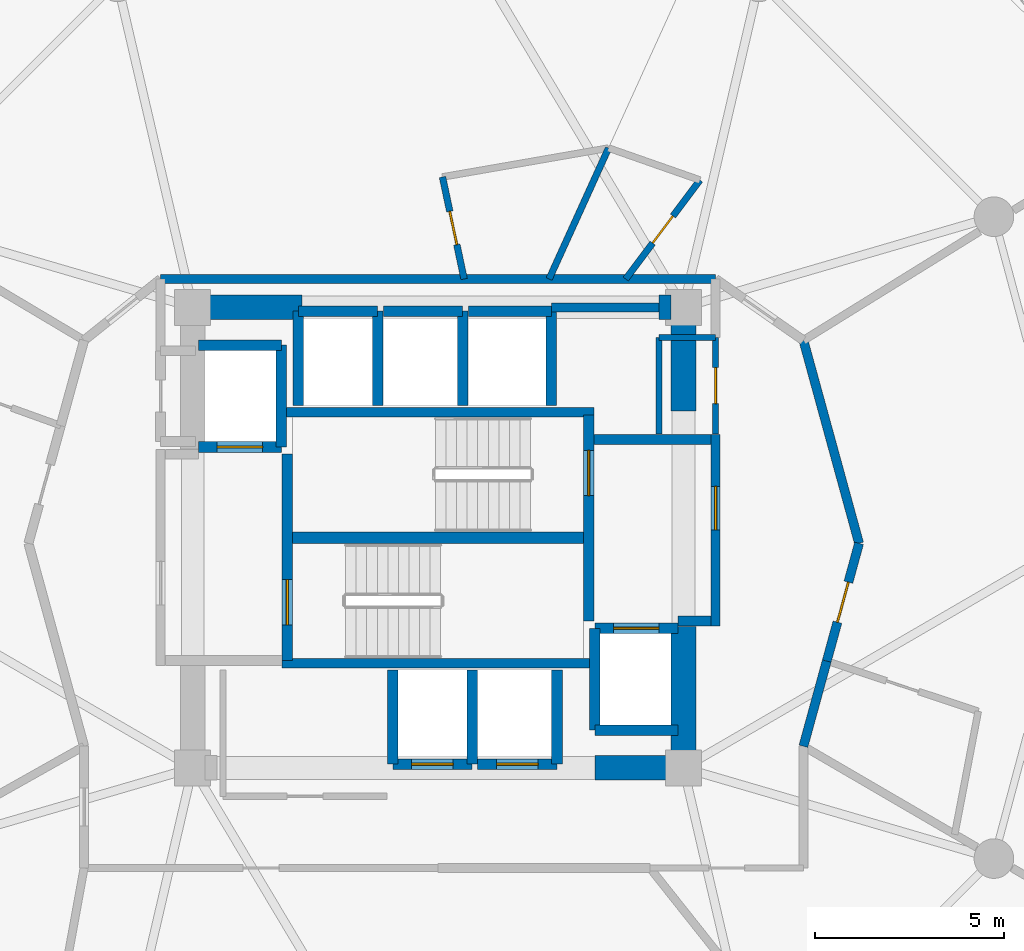
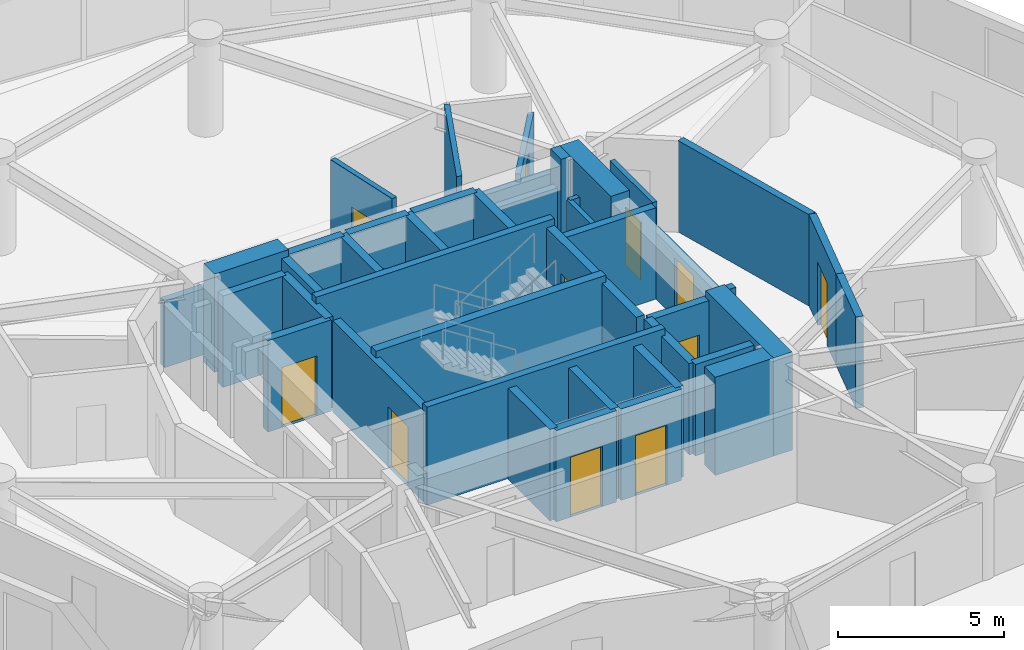
# One storey, part 18 of 21: 42 walls, 11 doors, 11 openings.
"""IFC4 building model written with IfcOpenShell, lengths in metres."""

from ifc_helpers import new_model, si_unit, direction, frame, frame_2d, origin, place, context, subcontext, project, spatial, rectangle, extrude, material, layer, layer_set, type_object, element, fill, save


model = new_model("IFC4")

# Units and contexts
model_context = context("Model", 3, precision=1e-05, world=origin(), true_north=direction((0.0, 1.0)))
body_context = subcontext(model_context, "Body", "Model", "MODEL_VIEW")
ifc_project = project(units=[si_unit("LENGTHUNIT", "METRE"), si_unit("AREAUNIT", "SQUARE_METRE"), si_unit("VOLUMEUNIT", "CUBIC_METRE"), si_unit("PLANEANGLEUNIT", "RADIAN"), si_unit("MASSUNIT", "GRAM", prefix="KILO")], contexts=[model_context])

# Site, building, storey
site_placement = place(None, origin())
site = spatial("IfcSite", under=ifc_project, at=site_placement, CompositionType="ELEMENT")
building_placement = place(site_placement, origin())
building = spatial("IfcBuilding", under=site, at=building_placement, Name="Solvirekh Grand Hotel", CompositionType="ELEMENT")
storey_placement = place(building_placement, frame((0.0, 0.0, 142.199951171875)))
storey = spatial("IfcBuildingStorey", under=building, at=storey_placement, Name="L36", CompositionType="ELEMENT", Elevation=142.199951171875)

# Walls
ifc_material_1 = material(Name="Concrete C50/60", Category="concrete")
ifc_layer_1 = layer(ifc_material_1, 0.35009765625)
ifc_layer_set_1 = layer_set([ifc_layer_1], Name="Concrete C50/60")
wall_type_1 = type_object("IfcWallType", Name="CoreDivWall_RC350", PredefinedType="SOLIDWALL", material=ifc_layer_set_1)
for number, where, z_axis, x_axis, name in (
    (1, (-4.1298828125, -3.324951171875, 0.0), (0.0, 0.0, 1.0), (1.0, 0.0, 0.0), "L36 core stair box wall ST-S"),
    (2, (-4.1298828125, 3.324951171875, 0.0), (0.0, 0.0, 1.0), (1.0, 0.0, 0.0), "L36 core stair box wall ST-N"),
):
    element("IfcWall", number, at=place(storey_placement, frame(where, z_axis=z_axis, x_axis=x_axis)), inside=storey, type_object=wall_type_1, Name=name, PredefinedType="SOLIDWALL", context=body_context, shape_type="SweptSolid", body=[
        extrude(rectangle(XDim=8.259765625, YDim=0.25, at=frame_2d((4.1298828125, 0.0))), origin(), (0.0, 0.0, 1.0), 3.60009765625),
    ])

# Wall, opening, door
ifc_material_2 = material(Name="Concrete C40/50", Category="concrete")
ifc_layer_2 = layer(ifc_material_2, 0.280029296875)
ifc_layer_set_2 = layer_set([ifc_layer_2], Name="Concrete C40/50")
wall_type_2 = type_object("IfcWallType", Name="CoreShaftWall_RC280", PredefinedType="SOLIDWALL", material=ifc_layer_set_2)
wall_1_placement = place(storey_placement, frame((-1.199951171875, -6.0, 0.0), z_axis=(0.0, 0.0, 1.0), x_axis=(1.0, 0.0, 0.0)))
wall_1 = element("IfcWall", 3, at=wall_1_placement, inside=storey, type_object=wall_type_2, Name="L36 MP-1 hoistway S wall", PredefinedType="SOLIDWALL", context=body_context, shape_type="SweptSolid", body=[
    extrude(rectangle(XDim=2.099853515625, YDim=0.280029296875, at=frame_2d((1.0498046875, 0.0))), origin(), (0.0, 0.0, 1.0), 3.35009765625),
])
opening_1_placement = place(wall_1_placement, frame((0.5, 0.0, 0.0)))
opening_1 = element("IfcOpeningElement", 4, at=opening_1_placement, cuts=wall_1, Name="Opening LD01", PredefinedType="OPENING", context=body_context, shape_type="SweptSolid", body=[
    extrude(rectangle(XDim=1.10009765625, YDim=2.199951171875, at=frame_2d((0.550048828125, 1.10009765625))), frame((0.0, 0.14990234375, 0.0), z_axis=(0.0, -1.0, 0.0), x_axis=(1.0, 0.0, 0.0)), (0.0, 0.0, 1.0), 0.300048828125),
])
ifc_material_3 = material(Name="Fire-Rated Steel Door Assembly", Category="steel")
door_type_1 = type_object("IfcDoorType", Name="Door_LiftLanding_1100X2200", OperationType="SLIDING_TO_LEFT", PredefinedType="DOOR", material=ifc_material_3)
door_1_placement = place(opening_1_placement, origin())
door_1 = element("IfcDoor", 5, at=door_1_placement, inside=storey, type_object=door_type_1, Name="L36 MP-1 sliding lift landing door", OperationType="SLIDING_TO_LEFT", OverallHeight=2.199951171875, OverallWidth=1.10009765625, PredefinedType="DOOR", context=body_context, shape_type="SweptSolid", body=[
    extrude(rectangle(XDim=1.10009765625, YDim=2.199951171875, at=frame_2d((0.550048828125, 1.10009765625))), frame((0.0, 0.02490234375, 0.0), z_axis=(0.0, -1.0, 0.0), x_axis=(1.0, 0.0, 0.0)), (0.0, 0.0, 1.0), 0.050048828125),
])
fill(opening_1, door_1)

# Walls
for number, where, z_axis, x_axis, name in (
    (6, (-1.199951171875, -3.5, 0.0), (0.0, 0.0, 1.0), (0.0, -1.0, 0.0), "L36 MP-1 hoistway W wall"),
    (7, (0.89990234375, -6.0, 0.0), (0.0, 0.0, 1.0), (0.0, 1.0, 0.0), "L36 MP-1 hoistway E wall"),
):
    element("IfcWall", number, at=place(storey_placement, frame(where, z_axis=z_axis, x_axis=x_axis)), inside=storey, type_object=wall_type_2, Name=name, PredefinedType="SOLIDWALL", context=body_context, shape_type="SweptSolid", body=[
        extrude(rectangle(XDim=2.5, YDim=0.280029296875, at=frame_2d((1.25, 0.0))), origin(), (0.0, 0.0, 1.0), 3.35009765625),
    ])

# Wall, opening, door
wall_2_placement = place(storey_placement, frame((1.050048828125, -6.0, 0.0), z_axis=(0.0, 0.0, 1.0), x_axis=(1.0, 0.0, 0.0)))
wall_2 = element("IfcWall", 8, at=wall_2_placement, inside=storey, type_object=wall_type_2, Name="L36 MP-2 hoistway S wall", PredefinedType="SOLIDWALL", context=body_context, shape_type="SweptSolid", body=[
    extrude(rectangle(XDim=2.099853515625, YDim=0.280029296875, at=frame_2d((1.0498046875, 0.0))), origin(), (0.0, 0.0, 1.0), 3.35009765625),
])
opening_2_placement = place(wall_2_placement, frame((0.5, 0.0, 0.0)))
opening_2 = element("IfcOpeningElement", 9, at=opening_2_placement, cuts=wall_2, Name="Opening LD01", PredefinedType="OPENING", context=body_context, shape_type="SweptSolid", body=[
    extrude(rectangle(XDim=1.10009765625, YDim=2.199951171875, at=frame_2d((0.550048828125, 1.10009765625))), frame((0.0, 0.14990234375, 0.0), z_axis=(0.0, -1.0, 0.0), x_axis=(1.0, 0.0, 0.0)), (0.0, 0.0, 1.0), 0.300048828125),
])
door_2_placement = place(opening_2_placement, origin())
door_2 = element("IfcDoor", 10, at=door_2_placement, inside=storey, type_object=door_type_1, Name="L36 MP-2 sliding lift landing door", OperationType="SLIDING_TO_LEFT", OverallHeight=2.199951171875, OverallWidth=1.10009765625, PredefinedType="DOOR", context=body_context, shape_type="SweptSolid", body=[
    extrude(rectangle(XDim=1.10009765625, YDim=2.199951171875, at=frame_2d((0.550048828125, 1.10009765625))), frame((0.0, 0.02490234375, 0.0), z_axis=(0.0, -1.0, 0.0), x_axis=(1.0, 0.0, 0.0)), (0.0, 0.0, 1.0), 0.050048828125),
])
fill(opening_2, door_2)

# Walls
wall_3_placement = place(storey_placement, frame((3.14990234375, -6.0, 0.0), z_axis=(0.0, 0.0, 1.0), x_axis=(0.0, 1.0, 0.0)))
element("IfcWall", 11, at=wall_3_placement, inside=storey, type_object=wall_type_2, Name="L36 MP-2 hoistway E wall", PredefinedType="SOLIDWALL", context=body_context, shape_type="SweptSolid", body=[
    extrude(rectangle(XDim=2.5, YDim=0.280029296875, at=frame_2d((1.25, 0.0))), origin(), (0.0, 0.0, 1.0), 3.35009765625),
])
wall_4_placement = place(storey_placement, frame((-1.60009765625, 6.0, 0.0), z_axis=(0.0, 0.0, 1.0), x_axis=(-1.0, 0.0, 0.0)))
element("IfcWall", 12, at=wall_4_placement, inside=storey, type_object=wall_type_2, Name="L36 HP-1 hoistway N wall", PredefinedType="SOLIDWALL", context=body_context, shape_type="SweptSolid", body=[
    extrude(rectangle(XDim=2.099853515625, YDim=0.280029296875, at=frame_2d((1.0498046875, 0.0))), origin(), (0.0, 0.0, 1.0), 3.35009765625),
])
for number, where, z_axis, x_axis, name in (
    (13, (-3.699951171875, 6.0, 0.0), (0.0, 0.0, 1.0), (0.0, -1.0, 0.0), "L36 HP-1 hoistway W wall"),
    (14, (-1.60009765625, 3.5, 0.0), (0.0, 0.0, 1.0), (0.0, 1.0, 0.0), "L36 HP-1 hoistway E wall"),
):
    element("IfcWall", number, at=place(storey_placement, frame(where, z_axis=z_axis, x_axis=x_axis)), inside=storey, type_object=wall_type_2, Name=name, PredefinedType="SOLIDWALL", context=body_context, shape_type="SweptSolid", body=[
        extrude(rectangle(XDim=2.5, YDim=0.280029296875, at=frame_2d((1.25, 0.0))), origin(), (0.0, 0.0, 1.0), 3.35009765625),
    ])
wall_5_placement = place(storey_placement, frame((0.64990234375, 6.0, 0.0), z_axis=(0.0, 0.0, 1.0), x_axis=(-1.0, 0.0, 0.0)))
element("IfcWall", 15, at=wall_5_placement, inside=storey, type_object=wall_type_2, Name="L36 HP-2 hoistway N wall", PredefinedType="SOLIDWALL", context=body_context, shape_type="SweptSolid", body=[
    extrude(rectangle(XDim=2.099853515625, YDim=0.280029296875, at=frame_2d((1.0498046875, 0.0))), origin(), (0.0, 0.0, 1.0), 3.35009765625),
])
wall_6_placement = place(storey_placement, frame((0.64990234375, 3.5, 0.0), z_axis=(0.0, 0.0, 1.0), x_axis=(0.0, 1.0, 0.0)))
element("IfcWall", 16, at=wall_6_placement, inside=storey, type_object=wall_type_2, Name="L36 HP-2 hoistway E wall", PredefinedType="SOLIDWALL", context=body_context, shape_type="SweptSolid", body=[
    extrude(rectangle(XDim=2.5, YDim=0.280029296875, at=frame_2d((1.25, 0.0))), origin(), (0.0, 0.0, 1.0), 3.35009765625),
])
wall_7_placement = place(storey_placement, frame((3.0, 6.0, 0.0), z_axis=(0.0, 0.0, 1.0), x_axis=(-1.0, 0.0, 0.0)))
element("IfcWall", 17, at=wall_7_placement, inside=storey, type_object=wall_type_2, Name="L36 EX-1 hoistway N wall", PredefinedType="SOLIDWALL", context=body_context, shape_type="SweptSolid", body=[
    extrude(rectangle(XDim=2.199951171875, YDim=0.280029296875, at=frame_2d((1.10009765625, 0.0))), origin(), (0.0, 0.0, 1.0), 3.35009765625),
])
wall_8_placement = place(storey_placement, frame((3.0, 3.5, 0.0), z_axis=(0.0, 0.0, 1.0), x_axis=(0.0, 1.0, 0.0)))
element("IfcWall", 18, at=wall_8_placement, inside=storey, type_object=wall_type_2, Name="L36 EX-1 hoistway E wall", PredefinedType="SOLIDWALL", context=body_context, shape_type="SweptSolid", body=[
    extrude(rectangle(XDim=2.5, YDim=0.280029296875, at=frame_2d((1.25, 0.0))), origin(), (0.0, 0.0, 1.0), 3.35009765625),
])

# Wall, opening, door
wall_9_placement = place(storey_placement, frame((-6.35009765625, 2.39990234375, 0.0), z_axis=(0.0, 0.0, 1.0), x_axis=(1.0, 0.0, 0.0)))
wall_9 = element("IfcWall", 19, at=wall_9_placement, inside=storey, type_object=wall_type_2, Name="L36 FL-1 hoistway S wall", PredefinedType="SOLIDWALL", context=body_context, shape_type="SweptSolid", body=[
    extrude(rectangle(XDim=2.2001953125, YDim=0.280029296875, at=frame_2d((1.10009765625, 0.0))), origin(), (0.0, 0.0, 1.0), 3.35009765625),
])
opening_3_placement = place(wall_9_placement, frame((0.5, 0.0, 0.0)))
opening_3 = element("IfcOpeningElement", 20, at=opening_3_placement, cuts=wall_9, Name="Opening LD02", PredefinedType="OPENING", context=body_context, shape_type="SweptSolid", body=[
    extrude(rectangle(XDim=1.199951171875, YDim=2.199951171875, at=frame_2d((0.60009765625, 1.10009765625))), frame((0.0, 0.14990234375, 0.0), z_axis=(0.0, -1.0, 0.0), x_axis=(1.0, 0.0, 0.0)), (0.0, 0.0, 1.0), 0.300048828125),
])
door_type_2 = type_object("IfcDoorType", Name="Door_LiftFF_1200X2200", OperationType="SLIDING_TO_LEFT", PredefinedType="DOOR", material=ifc_material_3)
door_3_placement = place(opening_3_placement, origin())
door_3 = element("IfcDoor", 21, at=door_3_placement, inside=storey, type_object=door_type_2, Name="L36 FL-1 sliding lift landing door", OperationType="SLIDING_TO_LEFT", OverallHeight=2.199951171875, OverallWidth=1.199951171875, PredefinedType="DOOR", context=body_context, shape_type="SweptSolid", body=[
    extrude(rectangle(XDim=1.199951171875, YDim=2.199951171875, at=frame_2d((0.60009765625, 1.10009765625))), frame((0.0, 0.02490234375, 0.0), z_axis=(0.0, -1.0, 0.0), x_axis=(1.0, 0.0, 0.0)), (0.0, 0.0, 1.0), 0.050048828125),
])
fill(opening_3, door_3)

# Walls
wall_10_placement = place(storey_placement, frame((-4.14990234375, 5.10009765625, 0.0), z_axis=(0.0, 0.0, 1.0), x_axis=(-1.0, 0.0, 0.0)))
element("IfcWall", 22, at=wall_10_placement, inside=storey, type_object=wall_type_2, Name="L36 FL-1 hoistway N wall", PredefinedType="SOLIDWALL", context=body_context, shape_type="SweptSolid", body=[
    extrude(rectangle(XDim=2.2001953125, YDim=0.280029296875, at=frame_2d((1.10009765625, 0.0))), origin(), (0.0, 0.0, 1.0), 3.35009765625),
])
wall_11_placement = place(storey_placement, frame((-4.14990234375, 2.39990234375, 0.0), z_axis=(0.0, 0.0, 1.0), x_axis=(0.0, 1.0, 0.0)))
element("IfcWall", 23, at=wall_11_placement, inside=storey, type_object=wall_type_2, Name="L36 FL-1 hoistway E wall", PredefinedType="SOLIDWALL", context=body_context, shape_type="SweptSolid", body=[
    extrude(rectangle(XDim=2.7001953125, YDim=0.280029296875, at=frame_2d((1.35009765625, 0.0))), origin(), (0.0, 0.0, 1.0), 3.35009765625),
])
wall_12_placement = place(storey_placement, frame((4.14990234375, -5.10009765625, 0.0), z_axis=(0.0, 0.0, 1.0), x_axis=(1.0, 0.0, 0.0)))
element("IfcWall", 24, at=wall_12_placement, inside=storey, type_object=wall_type_2, Name="L36 FL-2 hoistway S wall", PredefinedType="SOLIDWALL", context=body_context, shape_type="SweptSolid", body=[
    extrude(rectangle(XDim=2.2001953125, YDim=0.280029296875, at=frame_2d((1.10009765625, 0.0))), origin(), (0.0, 0.0, 1.0), 3.35009765625),
])

# Wall, opening, door
wall_13_placement = place(storey_placement, frame((6.35009765625, -2.39990234375, 0.0), z_axis=(0.0, 0.0, 1.0), x_axis=(-1.0, 0.0, 0.0)))
wall_13 = element("IfcWall", 25, at=wall_13_placement, inside=storey, type_object=wall_type_2, Name="L36 FL-2 hoistway N wall", PredefinedType="SOLIDWALL", context=body_context, shape_type="SweptSolid", body=[
    extrude(rectangle(XDim=2.2001953125, YDim=0.280029296875, at=frame_2d((1.10009765625, 0.0))), origin(), (0.0, 0.0, 1.0), 3.35009765625),
])
opening_4_placement = place(wall_13_placement, frame((0.5, 0.0, 0.0)))
opening_4 = element("IfcOpeningElement", 26, at=opening_4_placement, cuts=wall_13, Name="Opening LD02", PredefinedType="OPENING", context=body_context, shape_type="SweptSolid", body=[
    extrude(rectangle(XDim=1.199951171875, YDim=2.199951171875, at=frame_2d((0.60009765625, 1.10009765625))), frame((0.0, 0.14990234375, 0.0), z_axis=(0.0, -1.0, 0.0), x_axis=(1.0, 0.0, 0.0)), (0.0, 0.0, 1.0), 0.300048828125),
])
door_4_placement = place(opening_4_placement, origin())
door_4 = element("IfcDoor", 27, at=door_4_placement, inside=storey, type_object=door_type_2, Name="L36 FL-2 sliding lift landing door", OperationType="SLIDING_TO_LEFT", OverallHeight=2.199951171875, OverallWidth=1.199951171875, PredefinedType="DOOR", context=body_context, shape_type="SweptSolid", body=[
    extrude(rectangle(XDim=1.199951171875, YDim=2.199951171875, at=frame_2d((0.60009765625, 1.10009765625))), frame((0.0, 0.02490234375, 0.0), z_axis=(0.0, -1.0, 0.0), x_axis=(1.0, 0.0, 0.0)), (0.0, 0.0, 1.0), 0.050048828125),
])
fill(opening_4, door_4)

# Wall
wall_14_placement = place(storey_placement, frame((4.14990234375, -2.39990234375, 0.0), z_axis=(0.0, 0.0, 1.0), x_axis=(0.0, -1.0, 0.0)))
element("IfcWall", 28, at=wall_14_placement, inside=storey, type_object=wall_type_2, Name="L36 FL-2 hoistway W wall", PredefinedType="SOLIDWALL", context=body_context, shape_type="SweptSolid", body=[
    extrude(rectangle(XDim=2.7001953125, YDim=0.280029296875, at=frame_2d((1.35009765625, 0.0))), origin(), (0.0, 0.0, 1.0), 3.35009765625),
])

# Wall, opening, door
wall_15_placement = place(storey_placement, frame((-3.989990234375, -3.25, 0.0), z_axis=(0.0, 0.0, 1.0), x_axis=(0.0, 1.0, 0.0)))
wall_15 = element("IfcWall", 29, at=wall_15_placement, inside=storey, type_object=wall_type_2, Name="L36 west stair landing enclosure wall", PredefinedType="SOLIDWALL", context=body_context, shape_type="SweptSolid", body=[
    extrude(rectangle(XDim=5.4599609375, YDim=0.280029296875, at=frame_2d((2.72998046875, 0.0))), origin(), (0.0, 0.0, 1.0), 3.35009765625),
])
opening_5_placement = place(wall_15_placement, frame((0.93701171875, 0.0, 0.0)))
opening_5 = element("IfcOpeningElement", 30, at=opening_5_placement, cuts=wall_15, Name="Opening D05", PredefinedType="OPENING", context=body_context, shape_type="SweptSolid", body=[
    extrude(rectangle(XDim=1.199951171875, YDim=2.199951171875, at=frame_2d((0.60009765625, 1.10009765625))), frame((0.0, 0.14990234375, 0.0), z_axis=(0.0, -1.0, 0.0), x_axis=(1.0, 0.0, 0.0)), (0.0, 0.0, 1.0), 0.300048828125),
])
door_type_3 = type_object("IfcDoorType", Name="Door_StairCore_1200X2200", OperationType="NOTDEFINED", PredefinedType="DOOR", material=ifc_material_3)
door_5_placement = place(opening_5_placement, origin())
door_5 = element("IfcDoor", 31, at=door_5_placement, inside=storey, type_object=door_type_3, Name="L36 exit stair ST-1 fire door", OperationType="SINGLE_SWING_RIGHT", OverallHeight=2.199951171875, OverallWidth=1.199951171875, PredefinedType="DOOR", context=body_context, shape_type="SweptSolid", body=[
    extrude(rectangle(XDim=1.199951171875, YDim=2.199951171875, at=frame_2d((0.60009765625, 1.10009765625))), frame((0.0, 0.02490234375, 0.0), z_axis=(0.0, -1.0, 0.0), x_axis=(1.0, 0.0, 0.0)), (0.0, 0.0, 1.0), 0.050048828125),
])
fill(opening_5, door_5)

wall_16_placement = place(storey_placement, frame((3.989990234375, -2.2099609375, 0.0), z_axis=(0.0, 0.0, 1.0), x_axis=(0.0, 1.0, 0.0)))
wall_16 = element("IfcWall", 32, at=wall_16_placement, inside=storey, type_object=wall_type_2, Name="L36 east stair landing enclosure wall", PredefinedType="SOLIDWALL", context=body_context, shape_type="SweptSolid", body=[
    extrude(rectangle(XDim=5.4599609375, YDim=0.280029296875, at=frame_2d((2.72998046875, 0.0))), origin(), (0.0, 0.0, 1.0), 3.35009765625),
])
opening_6_placement = place(wall_16_placement, frame((3.322998046875, 0.0, 0.0)))
opening_6 = element("IfcOpeningElement", 33, at=opening_6_placement, cuts=wall_16, Name="Opening D05", PredefinedType="OPENING", context=body_context, shape_type="SweptSolid", body=[
    extrude(rectangle(XDim=1.199951171875, YDim=2.199951171875, at=frame_2d((0.60009765625, 1.10009765625))), frame((0.0, 0.14990234375, 0.0), z_axis=(0.0, -1.0, 0.0), x_axis=(1.0, 0.0, 0.0)), (0.0, 0.0, 1.0), 0.300048828125),
])
door_6_placement = place(opening_6_placement, origin())
door_6 = element("IfcDoor", 34, at=door_6_placement, inside=storey, type_object=door_type_3, Name="L36 exit stair ST-2 fire door", OperationType="SINGLE_SWING_LEFT", OverallHeight=2.199951171875, OverallWidth=1.199951171875, PredefinedType="DOOR", context=body_context, shape_type="SweptSolid", body=[
    extrude(rectangle(XDim=1.199951171875, YDim=2.199951171875, at=frame_2d((0.60009765625, 1.10009765625))), frame((0.0, 0.02490234375, 0.0), z_axis=(0.0, -1.0, 0.0), x_axis=(1.0, 0.0, 0.0)), (0.0, 0.0, 1.0), 0.050048828125),
])
fill(opening_6, door_6)

# Walls
ifc_layer_3 = layer(ifc_material_1, 0.64990234375)
ifc_layer_set_3 = layer_set([ifc_layer_3], Name="Concrete C50/60")
wall_type_3 = type_object("IfcWallType", Name="CoreWall_RC650", PredefinedType="SHEAR", material=ifc_layer_set_3)
wall_17_placement = place(storey_placement, frame((-3.989990234375, 0.0, 0.0), z_axis=(0.0, 0.0, 1.0), x_axis=(1.0, 0.0, 0.0)))
element("IfcWall", 35, at=wall_17_placement, inside=storey, type_object=wall_type_3, Name="L36 central stair-spine shear wall", PredefinedType="SHEAR", context=body_context, shape_type="SweptSolid", body=[
    extrude(rectangle(XDim=7.97998046875, YDim=0.300048828125, at=frame_2d((3.989990234375, 0.0))), origin(), (0.0, 0.0, 1.0), 3.60009765625),
])
wall_18_placement = place(storey_placement, frame((4.14990234375, -6.10009765625, 0.0), z_axis=(0.0, 0.0, 1.0), x_axis=(1.0, 0.0, 0.0)))
element("IfcWall", 36, at=wall_18_placement, inside=storey, type_object=wall_type_3, Name="L36 core corner shear wall SE-S", PredefinedType="SHEAR", context=body_context, shape_type="SweptSolid", body=[
    extrude(rectangle(XDim=2.025146484375, YDim=0.64990234375, at=frame_2d((1.0126953125, 0.0))), origin(), (0.0, 0.0, 1.0), 3.60009765625),
])
wall_19_placement = place(storey_placement, frame((-6.175048828125, 6.10009765625, 0.0), z_axis=(0.0, 0.0, 1.0), x_axis=(1.0, 0.0, 0.0)))
element("IfcWall", 37, at=wall_19_placement, inside=storey, type_object=wall_type_3, Name="L36 core corner shear wall NW-N", PredefinedType="SHEAR", context=body_context, shape_type="SweptSolid", body=[
    extrude(rectangle(XDim=2.574951171875, YDim=0.64990234375, at=frame_2d((1.28759765625, 0.0))), origin(), (0.0, 0.0, 1.0), 3.60009765625),
])
wall_20_placement = place(storey_placement, frame((5.85009765625, 6.10009765625, 0.0), z_axis=(0.0, 0.0, 1.0), x_axis=(1.0, 0.0, 0.0)))
element("IfcWall", 38, at=wall_20_placement, inside=storey, type_object=wall_type_3, Name="L36 core corner shear wall NE-N", PredefinedType="SHEAR", context=body_context, shape_type="SweptSolid", body=[
    extrude(rectangle(XDim=0.324951171875, YDim=0.64990234375, at=frame_2d((0.16259765625, 0.0))), origin(), (0.0, 0.0, 1.0), 3.60009765625),
])
wall_21_placement = place(storey_placement, frame((6.5, -6.425048828125, 0.0), z_axis=(0.0, 0.0, 1.0), x_axis=(0.0, 1.0, 0.0)))
element("IfcWall", 39, at=wall_21_placement, inside=storey, type_object=wall_type_3, Name="L36 core corner shear wall ES-E", PredefinedType="SHEAR", context=body_context, shape_type="SweptSolid", body=[
    extrude(rectangle(XDim=4.074951171875, YDim=0.64990234375, at=frame_2d((2.03759765625, 0.0))), origin(), (0.0, 0.0, 1.0), 3.60009765625),
])
wall_22_placement = place(storey_placement, frame((6.5, 3.35009765625, 0.0), z_axis=(0.0, 0.0, 1.0), x_axis=(0.0, 1.0, 0.0)))
element("IfcWall", 40, at=wall_22_placement, inside=storey, type_object=wall_type_3, Name="L36 core corner shear wall EN-E", PredefinedType="SHEAR", context=body_context, shape_type="SweptSolid", body=[
    extrude(rectangle(XDim=3.074951171875, YDim=0.64990234375, at=frame_2d((1.53759765625, 0.0))), origin(), (0.0, 0.0, 1.0), 3.60009765625),
])

# Wall, opening, door
ifc_material_4 = material(Name="Acoustic Gypsum Partition Assembly")
ifc_layer_4 = layer(ifc_material_4, 0.1650390625)
ifc_layer_set_4 = layer_set([ifc_layer_4], Name="Acoustic Gypsum Partition Assembly")
wall_type_4 = type_object("IfcWallType", Name="Part_BOH_165", PredefinedType="PARTITIONING", material=ifc_layer_set_4)
wall_23_placement = place(storey_placement, frame((7.35009765625, 2.75, 0.0), z_axis=(0.0, 0.0, 1.0), x_axis=(0.0, 1.0, 0.0)))
wall_23 = element("IfcWall", 41, at=wall_23_placement, inside=storey, type_object=wall_type_4, Name="L36 L36 Core Housekeeping & Linen Room wall 2", PredefinedType="PARTITIONING", context=body_context, shape_type="SweptSolid", body=[
    extrude(rectangle(XDim=2.550048828125, YDim=0.1650390625, at=frame_2d((1.27490234375, 0.0))), origin(), (0.0, 0.0, 1.0), 3.35009765625),
])
opening_7_placement = place(wall_23_placement, frame((0.800048828125, 0.0, 0.0)))
opening_7 = element("IfcOpeningElement", 42, at=opening_7_placement, cuts=wall_23, Name="Opening D10", PredefinedType="OPENING", context=body_context, shape_type="SweptSolid", body=[
    extrude(rectangle(XDim=0.949951171875, YDim=2.10009765625, at=frame_2d((0.47509765625, 1.050048828125))), frame((0.0, 0.092529296875, 0.0), z_axis=(0.0, -1.0, 0.0), x_axis=(1.0, 0.0, 0.0)), (0.0, 0.0, 1.0), 0.18505859375),
])
ifc_material_5 = material(Name="Anodized Bronze Aluminium 6063-T6", Category="aluminium")
door_type_4 = type_object("IfcDoorType", Name="Door_RoomInt_950X2100", OperationType="NOTDEFINED", PredefinedType="DOOR", material=ifc_material_5)
door_7_placement = place(opening_7_placement, origin())
door_7 = element("IfcDoor", 43, at=door_7_placement, inside=storey, type_object=door_type_4, Name="L36 L36 Core Housekeeping & Linen Room door", OperationType="SINGLE_SWING_LEFT", OverallHeight=2.10009765625, OverallWidth=0.949951171875, PredefinedType="DOOR", context=body_context, shape_type="SweptSolid", body=[
    extrude(rectangle(XDim=0.949951171875, YDim=2.10009765625, at=frame_2d((0.47509765625, 1.050048828125))), frame((0.0, 0.02490234375, 0.0), z_axis=(0.0, -1.0, 0.0), x_axis=(1.0, 0.0, 0.0)), (0.0, 0.0, 1.0), 0.050048828125),
])
fill(opening_7, door_7)

# Walls
wall_24_placement = place(storey_placement, frame((7.35009765625, 5.300048828125, 0.0), z_axis=(0.0, 0.0, 1.0), x_axis=(-1.0, 0.0, 0.0)))
element("IfcWall", 44, at=wall_24_placement, inside=storey, type_object=wall_type_4, Name="L36 L36 Core Housekeeping & Linen Room wall 3", PredefinedType="PARTITIONING", context=body_context, shape_type="SweptSolid", body=[
    extrude(rectangle(XDim=1.5, YDim=0.1650390625, at=frame_2d((0.75, 0.0))), origin(), (0.0, 0.0, 1.0), 2.43505859375),
])
wall_25_placement = place(storey_placement, frame((5.85009765625, 5.300048828125, 0.0), z_axis=(0.0, 0.0, 1.0), x_axis=(0.0, -1.0, 0.0)))
element("IfcWall", 45, at=wall_25_placement, inside=storey, type_object=wall_type_4, Name="L36 L36 Core Housekeeping & Linen Room wall 4", PredefinedType="PARTITIONING", context=body_context, shape_type="SweptSolid", body=[
    extrude(rectangle(XDim=2.550048828125, YDim=0.1650390625, at=frame_2d((1.27490234375, 0.0))), origin(), (0.0, 0.0, 1.0), 2.43505859375),
])

# Wall, opening, door
ifc_layer_5 = layer(ifc_material_4, 0.239990234375)
ifc_layer_set_5 = layer_set([ifc_layer_5], Name="Acoustic Gypsum Partition Assembly")
wall_type_5 = type_object("IfcWallType", Name="Part_Corridor_240", PredefinedType="PARTITIONING", material=ifc_layer_set_5)
wall_26_placement = place(storey_placement, frame((7.35009765625, -2.340087890625, 0.0), z_axis=(0.0, 0.0, 1.0), x_axis=(0.0, 1.0, 0.0)))
wall_26 = element("IfcWall", 46, at=wall_26_placement, inside=storey, type_object=wall_type_5, Name="L36 east firefighting lobby smoke screen wall", PredefinedType="PARTITIONING", context=body_context, shape_type="SweptSolid", body=[
    extrude(rectangle(XDim=5.070068359375, YDim=0.239990234375, at=frame_2d((2.53515625, 0.0))), origin(), (0.0, 0.0, 1.0), 2.43505859375),
])
opening_8_placement = place(wall_26_placement, frame((2.548095703125, 0.0, 0.0)))
opening_8 = element("IfcOpeningElement", 47, at=opening_8_placement, cuts=wall_26, Name="Opening D06", PredefinedType="OPENING", context=body_context, shape_type="SweptSolid", body=[
    extrude(rectangle(XDim=1.14990234375, YDim=2.199951171875, at=frame_2d((0.574951171875, 1.10009765625))), frame((0.0, 0.1298828125, 0.0), z_axis=(0.0, -1.0, 0.0), x_axis=(1.0, 0.0, 0.0)), (0.0, 0.0, 1.0), 0.260009765625),
])
door_type_5 = type_object("IfcDoorType", Name="Door_FFLobby_1150X2200", OperationType="NOTDEFINED", PredefinedType="DOOR", material=ifc_material_3)
door_8_placement = place(opening_8_placement, origin())
door_8 = element("IfcDoor", 48, at=door_8_placement, inside=storey, type_object=door_type_5, Name="L36 east firefighting lobby smoke door", OperationType="SINGLE_SWING_LEFT", OverallHeight=2.199951171875, OverallWidth=1.14990234375, PredefinedType="DOOR", context=body_context, shape_type="SweptSolid", body=[
    extrude(rectangle(XDim=1.14990234375, YDim=2.199951171875, at=frame_2d((0.574951171875, 1.10009765625))), frame((0.0, 0.02490234375, 0.0), z_axis=(0.0, -1.0, 0.0), x_axis=(1.0, 0.0, 0.0)), (0.0, 0.0, 1.0), 0.050048828125),
])
fill(opening_8, door_8)

# Walls
wall_27_placement = place(storey_placement, frame((-7.35009765625, 6.85009765625, 0.0), z_axis=(0.0, 0.0, 1.0), x_axis=(1.0, 0.0, 0.0)))
element("IfcWall", 49, at=wall_27_placement, inside=storey, type_object=wall_type_5, Name="L36 north core backing partition", PredefinedType="PARTITIONING", context=body_context, shape_type="SweptSolid", body=[
    extrude(rectangle(XDim=14.7001953125, YDim=0.239990234375, at=frame_2d((7.35009765625, 0.0))), origin(), (0.0, 0.0, 1.0), 2.43505859375),
])
wall_28_placement = place(storey_placement, frame((3.0, 6.10009765625, 0.0), z_axis=(0.0, 0.0, 1.0), x_axis=(1.0, 0.0, 0.0)))
element("IfcWall", 50, at=wall_28_placement, inside=storey, type_object=wall_type_5, Name="L36 north core shaft infill wall", PredefinedType="PARTITIONING", context=body_context, shape_type="SweptSolid", body=[
    extrude(rectangle(XDim=2.85009765625, YDim=0.239990234375, at=frame_2d((1.425048828125, 0.0))), origin(), (0.0, 0.0, 1.0), 2.43505859375),
])
wall_29_placement = place(storey_placement, frame((9.676025390625, -5.52490234375, 0.0), z_axis=(0.0, 0.0, 1.0), x_axis=(0.264467775372, 0.964394522895, 0.0)))
element("IfcWall", 51, at=wall_29_placement, inside=storey, type_object=wall_type_5, Name="L36 En-suite Bathroom 3804 corridor backing wall", PredefinedType="PARTITIONING", context=body_context, shape_type="SweptSolid", body=[
    extrude(rectangle(XDim=2.340087890625, YDim=0.239990234375, at=frame_2d((1.169921875, 0.0))), origin(), (0.0, 0.0, 1.0), 3.35009765625),
])
wall_30_placement = place(storey_placement, frame((11.14990234375, -0.14990234375, 0.0), z_axis=(0.0, 0.0, 1.0), x_axis=(-0.264447801629, 0.964400000111, 0.0)))
element("IfcWall", 52, at=wall_30_placement, inside=storey, type_object=wall_type_5, Name="L36 Executive Suite 3804 Living Room corridor wall 1", PredefinedType="PARTITIONING", context=body_context, shape_type="SweptSolid", body=[
    extrude(rectangle(XDim=5.573486328125, YDim=0.239990234375, at=frame_2d((2.78662109375, 0.0))), origin(), (0.0, 0.0, 1.0), 3.35009765625),
])

# Wall, opening, door
wall_31_placement = place(storey_placement, frame((10.294921875, -3.26806640625, 0.0), z_axis=(0.0, 0.0, 1.0), x_axis=(0.264433345006, 0.96440396414, 0.0)))
wall_31 = element("IfcWall", 53, at=wall_31_placement, inside=storey, type_object=wall_type_5, Name="L36 Executive Suite 3804 Living Room entrance wall", PredefinedType="PARTITIONING", context=body_context, shape_type="SweptSolid", body=[
    extrude(rectangle(XDim=3.233154296875, YDim=0.239990234375, at=frame_2d((1.61669921875, 0.0))), origin(), (0.0, 0.0, 1.0), 3.35009765625),
])
opening_9_placement = place(wall_31_placement, frame((1.06689453125, 0.0, 0.0)))
opening_9 = element("IfcOpeningElement", 54, at=opening_9_placement, cuts=wall_31, Name="Opening D08", PredefinedType="OPENING", context=body_context, shape_type="SweptSolid", body=[
    extrude(rectangle(XDim=1.10009765625, YDim=2.300048828125, at=frame_2d((0.550048828125, 1.14990234375))), frame((0.0, 0.1298828125, 0.0), z_axis=(0.0, -1.0, 0.0), x_axis=(1.0, 0.0, 0.0)), (0.0, 0.0, 1.0), 0.260009765625),
])
door_type_6 = type_object("IfcDoorType", Name="Door_SuiteEntry_1100X2300", OperationType="NOTDEFINED", PredefinedType="DOOR", material=ifc_material_3)
door_9_placement = place(opening_9_placement, origin())
door_9 = element("IfcDoor", 55, at=door_9_placement, inside=storey, type_object=door_type_6, Name="L36 Executive Suite 3804 Living Room entrance door", OperationType="SINGLE_SWING_RIGHT", OverallHeight=2.300048828125, OverallWidth=1.10009765625, PredefinedType="DOOR", context=body_context, shape_type="SweptSolid", body=[
    extrude(rectangle(XDim=1.10009765625, YDim=2.300048828125, at=frame_2d((0.550048828125, 1.14990234375))), frame((0.0, 0.02490234375, 0.0), z_axis=(0.0, -1.0, 0.0), x_axis=(1.0, 0.0, 0.0)), (0.0, 0.0, 1.0), 0.050048828125),
])
fill(opening_9, door_9)

# Walls
ifc_layer_6 = layer(ifc_material_4, 0.260009765625)
ifc_layer_set_6 = layer_set([ifc_layer_6], Name="Acoustic Gypsum Partition Assembly")
wall_type_6 = type_object("IfcWallType", Name="Part_LobbyFF_260", PredefinedType="PARTITIONING", material=ifc_layer_set_6)
wall_32_placement = place(storey_placement, frame((6.35009765625, -2.2099609375, 0.0), z_axis=(0.0, 0.0, 1.0), x_axis=(1.0, 0.0, 0.0)))
element("IfcWall", 56, at=wall_32_placement, inside=storey, type_object=wall_type_6, Name="L36 east firefighting lobby SE cheek", PredefinedType="PARTITIONING", context=body_context, shape_type="SweptSolid", body=[
    extrude(rectangle(XDim=0.875, YDim=0.260009765625, at=frame_2d((0.4375, 0.0))), origin(), (0.0, 0.0, 1.0), 3.35009765625),
])
wall_33_placement = place(storey_placement, frame((4.1298828125, 2.60009765625, 0.0), z_axis=(0.0, 0.0, 1.0), x_axis=(1.0, 0.0, 0.0)))
element("IfcWall", 57, at=wall_33_placement, inside=storey, type_object=wall_type_6, Name="L36 east firefighting lobby north partition", PredefinedType="PARTITIONING", context=body_context, shape_type="SweptSolid", body=[
    extrude(rectangle(XDim=3.09521484375, YDim=0.260009765625, at=frame_2d((1.547607421875, 0.0))), origin(), (0.0, 0.0, 1.0), 3.35009765625),
])
ifc_layer_7 = layer(ifc_material_4, 0.175048828125)
ifc_layer_set_7 = layer_set([ifc_layer_7], Name="Acoustic Gypsum Partition Assembly")
wall_type_7 = type_object("IfcWallType", Name="Plumb_Ensuite_175", PredefinedType="PLUMBINGWALL", material=ifc_layer_set_7)
wall_34_placement = place(storey_placement, frame((4.514892578125, 10.318115234375, 0.0), z_axis=(0.0, 0.0, 1.0), x_axis=(-0.413493846923, -0.910506912965, 0.0)))
element("IfcWall", 58, at=wall_34_placement, inside=storey, type_object=wall_type_7, Name="L36 En-suite Bathroom 3801 side plumbing wall", PredefinedType="PLUMBINGWALL", context=body_context, shape_type="SweptSolid", body=[
    extrude(rectangle(XDim=3.808837890625, YDim=0.175048828125, at=frame_2d((1.904296875, 0.0))), origin(), (0.0, 0.0, 1.0), 3.35009765625),
])

# Wall, opening, door
wall_35_placement = place(storey_placement, frame((4.968994140625, 6.85009765625, 0.0), z_axis=(0.0, 0.0, 1.0), x_axis=(0.600083455504, 0.79993740157, 0.0)))
wall_35 = element("IfcWall", 59, at=wall_35_placement, inside=storey, type_object=wall_type_7, Name="L36 En-suite Bathroom 3801 entry plumbing wall", PredefinedType="PLUMBINGWALL", context=body_context, shape_type="SweptSolid", body=[
    extrude(rectangle(XDim=3.2763671875, YDim=0.175048828125, at=frame_2d((1.63818359375, 0.0))), origin(), (0.0, 0.0, 1.0), 2.718017578125),
])
opening_10_placement = place(wall_35_placement, frame((1.18798828125, 0.0, 0.0)))
opening_10 = element("IfcOpeningElement", 60, at=opening_10_placement, cuts=wall_35, Name="Opening D09", PredefinedType="OPENING", context=body_context, shape_type="SweptSolid", body=[
    extrude(rectangle(XDim=0.89990234375, YDim=2.10009765625, at=frame_2d((0.449951171875, 1.050048828125))), frame((0.0, 0.09765625, 0.0), z_axis=(0.0, -1.0, 0.0), x_axis=(1.0, 0.0, 0.0)), (0.0, 0.0, 1.0), 0.195068359375),
])
door_type_7 = type_object("IfcDoorType", Name="Door_Ensuite_900X2100", OperationType="NOTDEFINED", PredefinedType="DOOR", material=ifc_material_5)
door_10_placement = place(opening_10_placement, origin())
door_10 = element("IfcDoor", 61, at=door_10_placement, inside=storey, type_object=door_type_7, Name="L36 En-suite Bathroom 3801 door", OperationType="SINGLE_SWING_LEFT", OverallHeight=2.10009765625, OverallWidth=0.89990234375, PredefinedType="DOOR", context=body_context, shape_type="SweptSolid", body=[
    extrude(rectangle(XDim=0.89990234375, YDim=2.10009765625, at=frame_2d((0.449951171875, 1.050048828125))), frame((0.0, 0.02490234375, 0.0), z_axis=(0.0, -1.0, 0.0), x_axis=(1.0, 0.0, 0.0)), (0.0, 0.0, 1.0), 0.050048828125),
])
fill(opening_10, door_10)

wall_36_placement = place(storey_placement, frame((0.116943359375, 9.552978515625, 0.0), z_axis=(0.0, 0.0, 1.0), x_axis=(0.207386338672, -0.978259120342, 0.0)))
wall_36 = element("IfcWall", 62, at=wall_36_placement, inside=storey, type_object=wall_type_7, Name="L36 En-suite Bathroom 3802 entry plumbing wall", PredefinedType="PLUMBINGWALL", context=body_context, shape_type="SweptSolid", body=[
    extrude(rectangle(XDim=2.762939453125, YDim=0.175048828125, at=frame_2d((1.38134765625, 0.0))), origin(), (0.0, 0.0, 1.0), 3.35009765625),
])
opening_11_placement = place(wall_36_placement, frame((0.931884765625, 0.0, 0.0)))
opening_11 = element("IfcOpeningElement", 63, at=opening_11_placement, cuts=wall_36, Name="Opening D09", PredefinedType="OPENING", context=body_context, shape_type="SweptSolid", body=[
    extrude(rectangle(XDim=0.89990234375, YDim=2.10009765625, at=frame_2d((0.449951171875, 1.050048828125))), frame((0.0, 0.09765625, 0.0), z_axis=(0.0, -1.0, 0.0), x_axis=(1.0, 0.0, 0.0)), (0.0, 0.0, 1.0), 0.195068359375),
])
door_11_placement = place(opening_11_placement, origin())
door_11 = element("IfcDoor", 64, at=door_11_placement, inside=storey, type_object=door_type_7, Name="L36 En-suite Bathroom 3802 door", OperationType="SINGLE_SWING_LEFT", OverallHeight=2.10009765625, OverallWidth=0.89990234375, PredefinedType="DOOR", context=body_context, shape_type="SweptSolid", body=[
    extrude(rectangle(XDim=0.89990234375, YDim=2.10009765625, at=frame_2d((0.449951171875, 1.050048828125))), frame((0.0, 0.02490234375, 0.0), z_axis=(0.0, -1.0, 0.0), x_axis=(1.0, 0.0, 0.0)), (0.0, 0.0, 1.0), 0.050048828125),
])
fill(opening_11, door_11)

save(model, "model.ifc")
